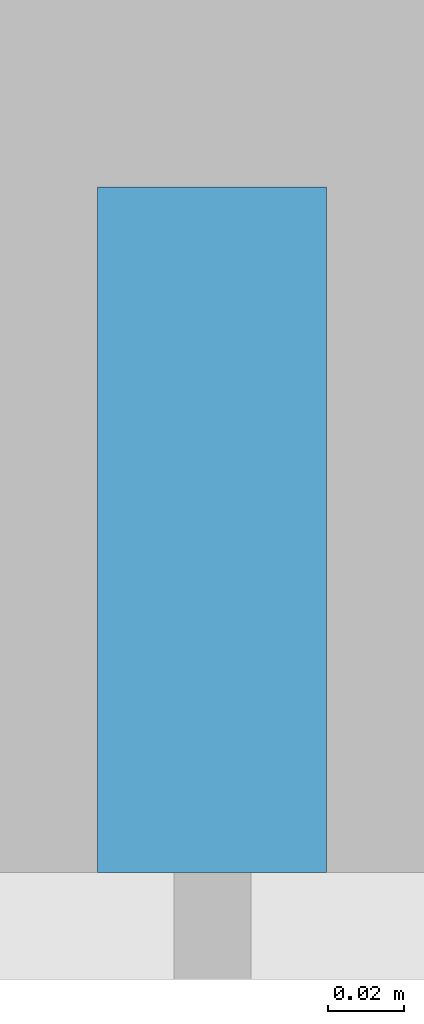
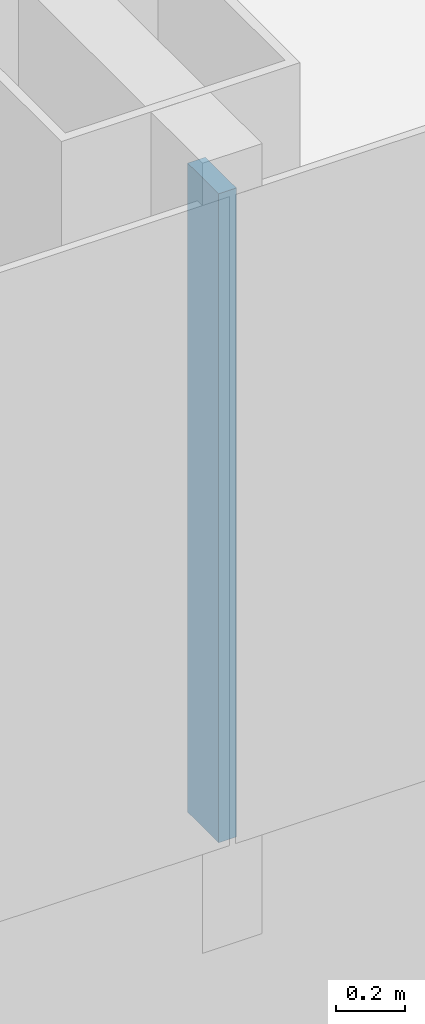
# One storey, part 6 of 29: 1 member, 1 element without a shape of its own.
"""IFC4 building model written with IfcOpenShell, lengths in metres."""

import ifcopenshell
import ifcopenshell.guid

model = None  # the IFC model being written
_history = None  # IfcOwnerHistory: only IFC2X3 demands one
_inside = {}  # id of a spatial element -> (the spatial element, [elements in it])
_under = {}  # id of a project, library or spatial element -> (it, [spatial elements below it])
_declared = {}  # id of a project -> (the project, [libraries it declares])
_typed = {}  # id of a type object -> (the type object, [elements of that type])
_made_of = {}  # id of a material, layer set ... -> (it, [elements and type objects made of it])


def new_model(schema):
    """Start an empty IFC model of exactly this schema.

    Asked for "IFC4X3", IfcOpenShell would pick the latest addendum, in which some entities
    have other attributes; the version numbers below select the first issue.
    IFC2X3 requires an IfcOwnerHistory on every rooted entity: one is made here for all.
    """
    global model, _history
    if schema == "IFC4X3":
        model = ifcopenshell.file(schema_version=(4, 3, 0, 0))
    else:
        model = ifcopenshell.file(schema=schema)
    _inside.clear()
    _under.clear()
    _declared.clear()
    _typed.clear()
    _made_of.clear()
    _history = None
    if model.schema == "IFC2X3":
        org = make("IfcOrganization", Name="unknown")
        user = make(
            "IfcPersonAndOrganization",
            ThePerson=make("IfcPerson", FamilyName="unknown"),
            TheOrganization=org,
        )
        app = make(
            "IfcApplication",
            ApplicationDeveloper=org,
            Version="unknown",
            ApplicationFullName="unknown",
            ApplicationIdentifier="unknown",
        )
        _history = make(
            "IfcOwnerHistory",
            OwningUser=user,
            OwningApplication=app,
            ChangeAction="ADDED",
            CreationDate=0,
        )
    return model


def make(cls, **values):
    """One entity of the class cls with the attributes given. An attribute that is None is left unset."""
    return model.create_entity(
        cls, **{name: value for name, value in values.items() if value is not None}
    )


def rooted(cls, **values):
    """An entity with a GlobalId (a new one), such as an element, a storey or a relation."""
    return make(cls, GlobalId=ifcopenshell.guid.new(), OwnerHistory=_history, **values)


def si_unit(unit_type, name, prefix=None):
    """IfcSIUnit, for example si_unit("LENGTHUNIT", "METRE", prefix="MILLI")."""
    return make("IfcSIUnit", UnitType=unit_type, Prefix=prefix, Name=name)


def assignment(units):
    """IfcUnitAssignment: the units of a project."""
    return None if units is None else make("IfcUnitAssignment", Units=units)


def point(xyz):
    """IfcCartesianPoint."""
    return None if xyz is None else make("IfcCartesianPoint", Coordinates=xyz)


def direction(xyz):
    """IfcDirection."""
    return None if xyz is None else make("IfcDirection", DirectionRatios=xyz)


def frame(location, z_axis=None, x_axis=None):
    """IfcAxis2Placement3D, a coordinate frame: its origin and axes. An axis left out is left unset."""
    return make(
        "IfcAxis2Placement3D",
        Location=point(location),
        Axis=direction(z_axis),
        RefDirection=direction(x_axis),
    )


def frame_2d(location, x_axis=None):
    """IfcAxis2Placement2D, a coordinate frame in the plane: its origin and x axis."""
    return make(
        "IfcAxis2Placement2D", Location=point(location), RefDirection=direction(x_axis)
    )


def origin():
    """The frame at (0, 0, 0) with its axes left unset."""
    return frame((0.0, 0.0, 0.0))


def origin_2d():
    """The frame at (0, 0) in the plane with its x axis left unset."""
    return frame_2d((0.0, 0.0))


def place(relative_to, where):
    """IfcLocalPlacement: puts the frame where relative to a parent placement (None: the world)."""
    return make(
        "IfcLocalPlacement", PlacementRelTo=relative_to, RelativePlacement=where
    )


def context(
    kind, dimensions, precision=None, world=None, true_north=None, identifier=None
):
    """IfcGeometricRepresentationContext, for example the 3D "Model" context."""
    return make(
        "IfcGeometricRepresentationContext",
        ContextIdentifier=identifier,
        ContextType=kind,
        CoordinateSpaceDimension=dimensions,
        Precision=precision,
        WorldCoordinateSystem=world,
        TrueNorth=true_north,
    )


def subcontext(parent, identifier, kind, view, scale=None):
    """IfcGeometricRepresentationSubContext, for example "Body" below "Model"."""
    return make(
        "IfcGeometricRepresentationSubContext",
        ContextIdentifier=identifier,
        ContextType=kind,
        ParentContext=parent,
        TargetScale=scale,
        TargetView=view,
    )


def project(units=None, contexts=None):
    """IfcProject with its units and contexts."""
    return rooted(
        "IfcProject",
        Name="project",
        RepresentationContexts=contexts,
        UnitsInContext=assignment(units),
    )


def spatial(cls, under=None, at=None, **own):
    """A site, building, storey or space (cls), placed at a placement, below another one or the project."""
    s = rooted(cls, ObjectPlacement=at, **own)
    if under is not None:
        _under.setdefault(under.id(), (under, []))[1].append(s)
    return s


def profile(cls, at=None, kind="AREA", **sizes):
    """A parametric profile (cls). Its sizes go by their IFC names, for example OverallWidth=200.0."""
    return make(cls, ProfileType=kind, Position=at, **sizes)


def rectangle(**sizes):
    """IfcRectangleProfileDef."""
    return profile("IfcRectangleProfileDef", **sizes)


def extrude(swept, where, along, depth):
    """IfcExtrudedAreaSolid: the profile swept, set in the frame where, extruded along a direction by depth."""
    return make(
        "IfcExtrudedAreaSolid",
        SweptArea=swept,
        Position=where,
        ExtrudedDirection=direction(along),
        Depth=depth,
    )


def shape(context_of_items, identifier, shape_type, items):
    """IfcShapeRepresentation: the items that make up one representation, for example the "Body"."""
    return make(
        "IfcShapeRepresentation",
        ContextOfItems=context_of_items,
        RepresentationIdentifier=identifier,
        RepresentationType=shape_type,
        Items=items,
    )


def material(Name=None, Category=None):
    """IfcMaterial."""
    return make("IfcMaterial", Name=Name, Category=Category)


def layer(
    of_material, thickness, ventilated=None, Name=None, Category=None, Priority=None
):
    """IfcMaterialLayer: one layer of a wall or slab, of a material (None: an air gap)."""
    return make(
        "IfcMaterialLayer",
        Material=of_material,
        LayerThickness=thickness,
        IsVentilated=ventilated,
        Name=Name,
        Category=Category,
        Priority=Priority,
    )


def layer_set(layers, Name=None):
    """IfcMaterialLayerSet."""
    return make("IfcMaterialLayerSet", MaterialLayers=layers, LayerSetName=Name)


def material_profile(
    of_material, cross_section, Name=None, Category=None, Priority=None
):
    """IfcMaterialProfile: a cross section and its material."""
    return make(
        "IfcMaterialProfile",
        Name=Name,
        Material=of_material,
        Profile=cross_section,
        Priority=Priority,
        Category=Category,
    )


def profile_set(profiles, Name=None, composite=None):
    """IfcMaterialProfileSet."""
    return make(
        "IfcMaterialProfileSet",
        Name=Name,
        MaterialProfiles=profiles,
        CompositeProfile=composite,
    )


def made_of(thing, what):
    """Note that an element or type object is made of a material, layer set ...; save() writes the relation."""
    if what is not None:
        _made_of.setdefault(what.id(), (what, []))[1].append(thing)
    return thing


def type_object(cls, material=None, **own):
    """A type object (cls), such as IfcWallType, which elements share."""
    return made_of(rooted(cls, **own), material)


def element(
    cls,
    number,
    at=None,
    inside=None,
    cuts=None,
    type_object=None,
    material=None,
    context=None,
    identifier="Body",
    shape_type=None,
    held_by="IfcProductDefinitionShape",
    body=None,
    shapes=None,
    **own,
):
    """One element of the class cls, such as IfcWall. Its Tag is "e" and its number.

    at: its placement. inside: the storey or other place that contains it. cuts: it is an
    opening in that element (IfcRelVoidsElement). A single representation is given by context,
    identifier, shape_type and body (its items); several are given by shapes. held_by: the class
    of the entity that holds the representations. save() writes the other relations.
    """
    e = rooted(cls, Tag="e%d" % number, ObjectPlacement=at, **own)
    if body is not None:
        shapes = [shape(context, identifier, shape_type, body)]
    if shapes is not None:
        e.Representation = make(held_by, Representations=shapes)
    if inside is not None:
        _inside.setdefault(inside.id(), (inside, []))[1].append(e)
    if cuts is not None:
        rooted(
            "IfcRelVoidsElement", RelatingBuildingElement=cuts, RelatedOpeningElement=e
        )
    if type_object is not None:
        _typed.setdefault(type_object.id(), (type_object, []))[1].append(e)
    return made_of(e, material)


def aggregate(whole, parts):
    """IfcRelAggregates: a whole, such as a stair, and the parts it consists of."""
    return rooted("IfcRelAggregates", RelatingObject=whole, RelatedObjects=parts)


def save(model, path):
    """Write the relations noted so far, then the file.

    IfcRelAggregates (storeys below a building ...), IfcRelContainedInSpatialStructure (elements
    in a storey), IfcRelDefinesByType, IfcRelAssociatesMaterial and IfcRelDeclares: one each for
    every whole, place, type object, material and project.
    """
    for whole, parts in _under.values():
        aggregate(whole, parts)
    for where, things in _inside.values():
        rooted(
            "IfcRelContainedInSpatialStructure",
            RelatedElements=things,
            RelatingStructure=where,
        )
    for kind, things in _typed.values():
        rooted("IfcRelDefinesByType", RelatedObjects=things, RelatingType=kind)
    for what, things in _made_of.values():
        rooted("IfcRelAssociatesMaterial", RelatedObjects=things, RelatingMaterial=what)
    for by, libraries in _declared.values():
        rooted("IfcRelDeclares", RelatingContext=by, RelatedDefinitions=libraries)
    model.write(path)


model = new_model("IFC4")

# Units and contexts
model_context = context("Model", 3, precision=1e-05, world=origin(), true_north=direction((0.0, 1.0)))
body_context = subcontext(model_context, "Body", "Model", "MODEL_VIEW")
ifc_project = project(units=[si_unit("LENGTHUNIT", "METRE"), si_unit("AREAUNIT", "SQUARE_METRE"), si_unit("VOLUMEUNIT", "CUBIC_METRE"), si_unit("PLANEANGLEUNIT", "RADIAN"), si_unit("MASSUNIT", "GRAM", prefix="KILO")], contexts=[model_context])

# Site, building, storey
site_placement = place(None, origin())
site = spatial("IfcSite", under=ifc_project, at=site_placement, CompositionType="ELEMENT")
building_placement = place(site_placement, origin())
building = spatial("IfcBuilding", under=site, at=building_placement, Name="Hakoniwa Tower and Hamabe Station Hall", CompositionType="ELEMENT")
storey_placement = place(building_placement, frame((0.0, 0.0, 104.199951171875)))
storey = spatial("IfcBuildingStorey", under=building, at=storey_placement, Name="L29", CompositionType="ELEMENT", Elevation=104.199951171875)

# Curtain wall, member
ifc_material_1 = material(Name="Dark low-e laminated glass", Category="glass")
ifc_layer = layer(ifc_material_1, 0.199951171875)
ifc_layer_set = layer_set([ifc_layer], Name="CW-1 UNITISED GUEST")
curtain_wall_type = type_object("IfcCurtainWallType", Name="CW-1 UNITISED GUEST", PredefinedType="NOTDEFINED", material=ifc_layer_set)
curtain_wall_placement = place(storey_placement, origin())
curtain_wall = element("IfcCurtainWall", 1, at=curtain_wall_placement, inside=storey, type_object=curtain_wall_type, Name="CW-1 curtain wall", PredefinedType="NOTDEFINED")
ifc_material_2 = material(Name="Aluminium 6063-T5 black anodised", Category="aluminium")
ifc_material_profile = material_profile(ifc_material_2, rectangle(XDim=0.06005859375, YDim=0.179931640625, at=origin_2d()), Name="CW-1 MULLION 60X180")
ifc_profile_set = profile_set([ifc_material_profile], Name="Aluminium 6063-T5 black anodised")
member_type = type_object("IfcMemberType", Name="CW-1 MULLION 60X180", PredefinedType="MULLION", material=ifc_profile_set)
member_placement = place(storey_placement, frame((8.39990234375, -15.431884765625, 0.35009765625), z_axis=(0.0, 0.0, 1.0), x_axis=(1.0, 0.0, 0.0)))
member = element("IfcMember", 2, at=member_placement, type_object=member_type, Name="CW-1 mullion", PredefinedType="MULLION", context=body_context, shape_type="SweptSolid", body=[
    extrude(rectangle(XDim=0.06005859375, YDim=0.179931640625, at=origin_2d()), origin(), (0.0, 0.0, 1.0), 2.300048828125),
])
aggregate(curtain_wall, [member])

save(model, "model.ifc")
